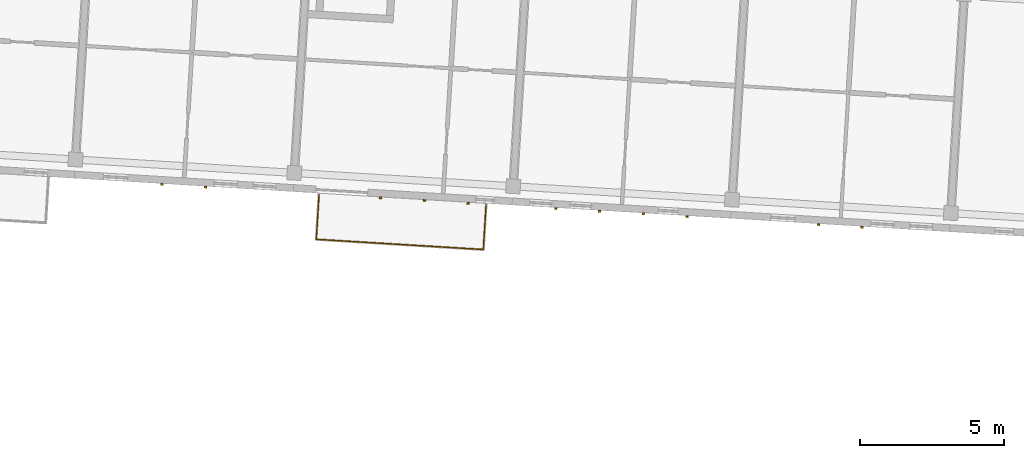
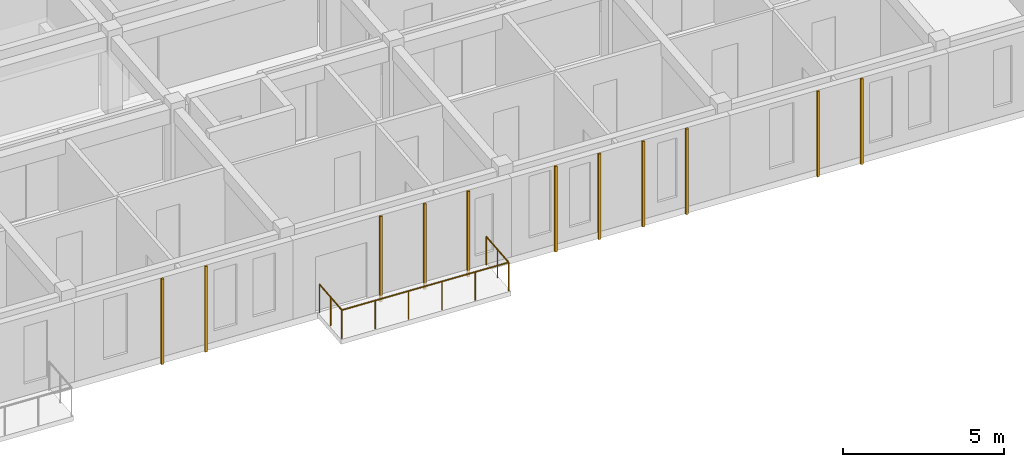
# One storey, part 49 of 66: 11 coverings, 1 railing.
"""IFC4 building model written with IfcOpenShell, lengths in metres."""

from ifc_helpers import new_model, si_unit, direction, frame, origin, origin_2d, place, context, subcontext, project, spatial, rectangle, circle, extrude, material, layer, layer_set, type_object, element, save


model = new_model("IFC4")

# Units and contexts
model_context = context("Model", 3, precision=1e-05, world=origin(), true_north=direction((0.0, 1.0)))
body_context = subcontext(model_context, "Body", "Model", "MODEL_VIEW")
ifc_project = project(units=[si_unit("LENGTHUNIT", "METRE"), si_unit("AREAUNIT", "SQUARE_METRE"), si_unit("VOLUMEUNIT", "CUBIC_METRE"), si_unit("PLANEANGLEUNIT", "RADIAN"), si_unit("MASSUNIT", "GRAM", prefix="KILO")], contexts=[model_context])

# Site, building, storey
site_placement = place(None, origin())
site = spatial("IfcSite", under=ifc_project, at=site_placement, CompositionType="ELEMENT")
building_placement = place(site_placement, origin())
building = spatial("IfcBuilding", under=site, at=building_placement, Name="Kestramere Prow Commons", CompositionType="ELEMENT")
storey_placement = place(building_placement, frame((0.0, 0.0, 14.89990234375)))
storey = spatial("IfcBuildingStorey", under=building, at=storey_placement, Name="L04", CompositionType="ELEMENT", Elevation=14.89990234375)

# Coverings
ifc_material_1 = material(Name="Weathered Zinc-Titanium Standing-Seam Cladding")
ifc_layer = layer(ifc_material_1, 0.074951171875)
ifc_layer_set = layer_set([ifc_layer], Name="Weathered Zinc-Titanium Standing-Seam Cladding")
covering_type = type_object("IfcCoveringType", Name="COV-CLAD-SEAM", PredefinedType="CLADDING", material=ifc_layer_set)
for number, where, z_axis, x_axis, name in (
    (1, (71.595947265625, 45.081298828125, -0.25), (0.0, 0.0, 1.0), (-0.998134798422, 0.061048539535, 0.0), "EW-C-L04-S-1 Standing-Seam Rib 2"),
    (2, (70.078857421875, 45.17431640625, -0.25), (0.0, 0.0, 1.0), (-0.998134798422, 0.061048539535, 0.0), "EW-C-L04-S-1 Standing-Seam Rib 3"),
    (3, (80.698974609375, 44.524658203125, -0.25), (0.0, 0.0, 1.0), (-0.998134798422, 0.061048539535, 0.0), "EW-C-L04-S-2 Standing-Seam Rib 1"),
    (4, (79.181884765625, 44.617431640625, -0.25), (0.0, 0.0, 1.0), (-0.998134798422, 0.061048539535, 0.0), "EW-C-L04-S-2 Standing-Seam Rib 2"),
    (5, (77.66455078125, 44.710205078125, -0.25), (0.0, 0.0, 1.0), (-0.998134798422, 0.061048539535, 0.0), "EW-C-L04-S-2 Standing-Seam Rib 3"),
    (6, (88.28466796875, 44.060791015625, -0.25), (0.0, 0.0, 1.0), (-0.998134798422, 0.061048539535, 0.0), "EW-C-L04-S-3 Standing-Seam Rib 1"),
    (7, (86.767578125, 44.153564453125, -0.25), (0.0, 0.0, 1.0), (-0.998134798422, 0.061048539535, 0.0), "EW-C-L04-S-3 Standing-Seam Rib 2"),
    (8, (85.25048828125, 44.246337890625, -0.25), (0.0, 0.0, 1.0), (-0.998134798422, 0.061048539535, 0.0), "EW-C-L04-S-3 Standing-Seam Rib 3"),
    (9, (83.7333984375, 44.339111328125, -0.25), (0.0, 0.0, 1.0), (-0.998134798422, 0.061048539535, 0.0), "EW-C-L04-S-3 Standing-Seam Rib 4"),
    (10, (94.353515625, 43.689453125, -0.25), (0.0, 0.0, 1.0), (-0.998134798422, 0.061048539535, 0.0), "EW-C-L04-S-4 Standing-Seam Rib 2"),
    (11, (92.836181640625, 43.7822265625, -0.25), (0.0, 0.0, 1.0), (-0.998134798422, 0.061048539535, 0.0), "EW-C-L04-S-4 Standing-Seam Rib 3"),
):
    element("IfcCovering", number, at=place(storey_placement, frame(where, z_axis=z_axis, x_axis=x_axis)), inside=storey, type_object=covering_type, Name=name, PredefinedType="CLADDING", context=body_context, shape_type="SweptSolid", body=[
        extrude(rectangle(XDim=0.0849609375, YDim=0.06494140625, at=origin_2d()), origin(), (0.0, 0.0, 1.0), 3.25),
    ])

# Railing
ifc_material_2 = material(Name="Powder-Coated Aluminium 6063-T6", Category="aluminium")
railing_type = type_object("IfcRailingType", Name="GRD-BALC-1100", PredefinedType="BALUSTRADE", material=ifc_material_2)
railing_placement = place(storey_placement, frame((75.52783203125, 44.828369140625, 0.0)))
element("IfcRailing", 12, at=railing_placement, inside=storey, type_object=railing_type, Name="Block C L04 Balcony Guardrail 3", PredefinedType="BALUSTRADE", context=body_context, shape_type="SweptSolid", body=[
    extrude(circle(Radius=0.02392578125, at=origin_2d()), frame((0.0, 0.0, 1.076171875), z_axis=(-0.061033697925, -0.998135706063, 0.0), x_axis=(0.998135706063, -0.061033697925, 0.0)), (0.0, 0.0, 1.0), 1.56005859375),
    extrude(circle(Radius=0.02392578125, at=origin_2d()), frame((-0.09521484375, -1.55712890625, 1.076171875), z_axis=(0.998135537192, -0.061036459553, 0.0), x_axis=(0.061036459553, 0.998135537192, 0.0)), (0.0, 0.0, 1.0), 5.7998046875),
    extrude(circle(Radius=0.02392578125, at=origin_2d()), frame((5.69384765625, -1.9111328125, 1.076171875), z_axis=(0.061189609383, 0.998126160214, 0.0), x_axis=(-0.998126160214, 0.061189609383, 0.0)), (0.0, 0.0, 1.0), 1.56005859375),
    extrude(circle(Radius=0.02099609375, at=origin_2d()), origin(), (0.0, 0.0, 1.0), 1.052001953125),
    extrude(circle(Radius=0.02099609375, at=origin_2d()), frame((-0.047607421875, -0.778564453125, 0.0)), (0.0, 0.0, 1.0), 1.052001953125),
    extrude(circle(Radius=0.02099609375, at=origin_2d()), frame((-0.09521484375, -1.55712890625, 0.0)), (0.0, 0.0, 1.0), 1.052001953125),
    extrude(circle(Radius=0.02099609375, at=origin_2d()), frame((1.0625, -1.6279296875, 0.0)), (0.0, 0.0, 1.0), 1.052001953125),
    extrude(circle(Radius=0.02099609375, at=origin_2d()), frame((2.220458984375, -1.69873046875, 0.0)), (0.0, 0.0, 1.0), 1.052001953125),
    extrude(circle(Radius=0.02099609375, at=origin_2d()), frame((3.378173828125, -1.76953125, 0.0)), (0.0, 0.0, 1.0), 1.052001953125),
    extrude(circle(Radius=0.02099609375, at=origin_2d()), frame((4.5361328125, -1.84033203125, 0.0)), (0.0, 0.0, 1.0), 1.052001953125),
    extrude(circle(Radius=0.02099609375, at=origin_2d()), frame((5.69384765625, -1.9111328125, 0.0)), (0.0, 0.0, 1.0), 1.052001953125),
    extrude(circle(Radius=0.02099609375, at=origin_2d()), frame((5.74169921875, -1.132568359375, 0.0)), (0.0, 0.0, 1.0), 1.052001953125),
    extrude(circle(Radius=0.02099609375, at=origin_2d()), frame((5.789306640625, -0.35400390625, 0.0)), (0.0, 0.0, 1.0), 1.052001953125),
])

save(model, "model.ifc")
